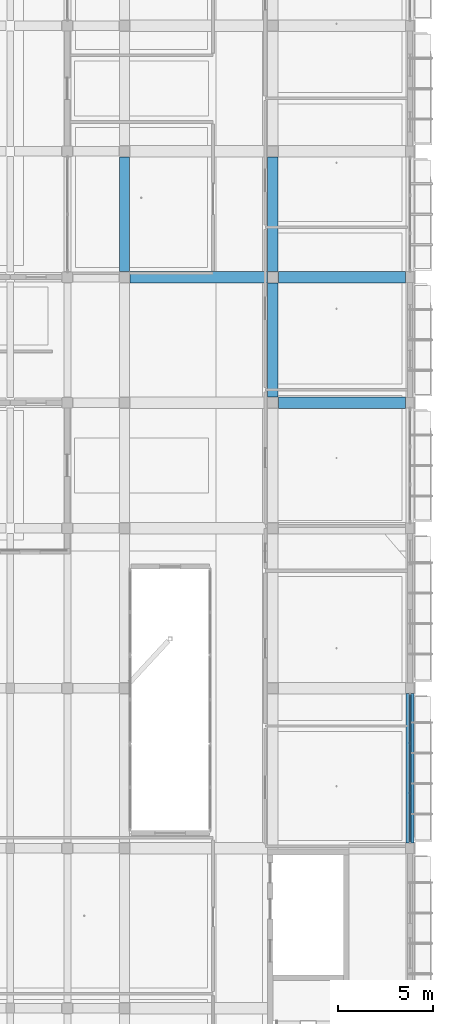
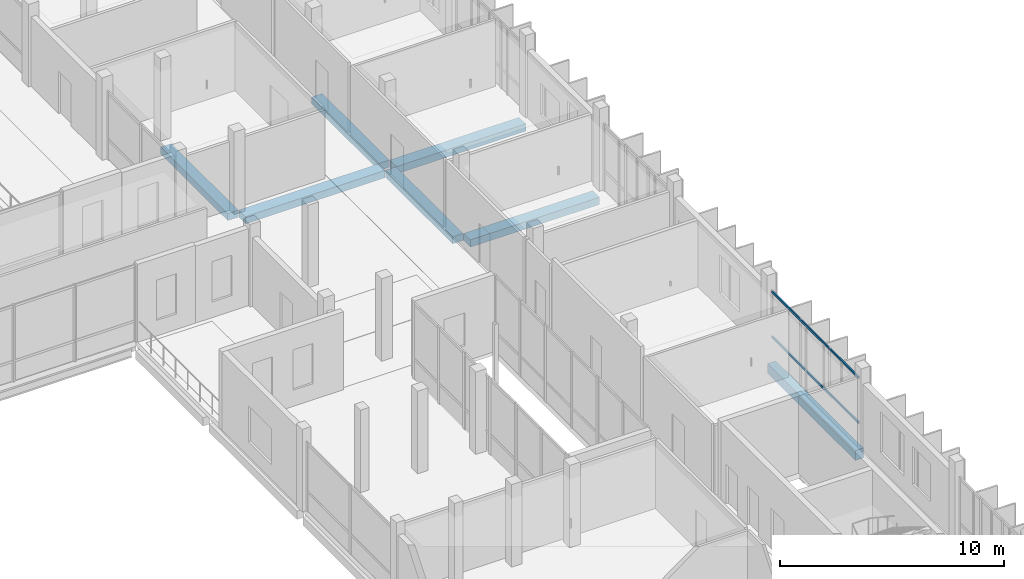
# One storey, part 40 of 95: 7 beams, 2 members, 1 element without a shape of its own.
"""IFC4 building model written with IfcOpenShell, lengths in metres."""

import ifcopenshell
import ifcopenshell.guid

model = None  # the IFC model being written
_history = None  # IfcOwnerHistory: only IFC2X3 demands one
_inside = {}  # id of a spatial element -> (the spatial element, [elements in it])
_under = {}  # id of a project, library or spatial element -> (it, [spatial elements below it])
_declared = {}  # id of a project -> (the project, [libraries it declares])
_typed = {}  # id of a type object -> (the type object, [elements of that type])
_made_of = {}  # id of a material, layer set ... -> (it, [elements and type objects made of it])


def new_model(schema):
    """Start an empty IFC model of exactly this schema.

    Asked for "IFC4X3", IfcOpenShell would pick the latest addendum, in which some entities
    have other attributes; the version numbers below select the first issue.
    IFC2X3 requires an IfcOwnerHistory on every rooted entity: one is made here for all.
    """
    global model, _history
    if schema == "IFC4X3":
        model = ifcopenshell.file(schema_version=(4, 3, 0, 0))
    else:
        model = ifcopenshell.file(schema=schema)
    _inside.clear()
    _under.clear()
    _declared.clear()
    _typed.clear()
    _made_of.clear()
    _history = None
    if model.schema == "IFC2X3":
        org = make("IfcOrganization", Name="unknown")
        user = make(
            "IfcPersonAndOrganization",
            ThePerson=make("IfcPerson", FamilyName="unknown"),
            TheOrganization=org,
        )
        app = make(
            "IfcApplication",
            ApplicationDeveloper=org,
            Version="unknown",
            ApplicationFullName="unknown",
            ApplicationIdentifier="unknown",
        )
        _history = make(
            "IfcOwnerHistory",
            OwningUser=user,
            OwningApplication=app,
            ChangeAction="ADDED",
            CreationDate=0,
        )
    return model


def make(cls, **values):
    """One entity of the class cls with the attributes given. An attribute that is None is left unset."""
    return model.create_entity(
        cls, **{name: value for name, value in values.items() if value is not None}
    )


def rooted(cls, **values):
    """An entity with a GlobalId (a new one), such as an element, a storey or a relation."""
    return make(cls, GlobalId=ifcopenshell.guid.new(), OwnerHistory=_history, **values)


def si_unit(unit_type, name, prefix=None):
    """IfcSIUnit, for example si_unit("LENGTHUNIT", "METRE", prefix="MILLI")."""
    return make("IfcSIUnit", UnitType=unit_type, Prefix=prefix, Name=name)


def derived_unit(unit_type, elements):
    """IfcDerivedUnit: a product of units, each with its exponent."""
    return make(
        "IfcDerivedUnit",
        Elements=[
            make("IfcDerivedUnitElement", Unit=unit, Exponent=power)
            for unit, power in elements
        ],
        UnitType=unit_type,
    )


def assignment(units):
    """IfcUnitAssignment: the units of a project."""
    return None if units is None else make("IfcUnitAssignment", Units=units)


def point(xyz):
    """IfcCartesianPoint."""
    return None if xyz is None else make("IfcCartesianPoint", Coordinates=xyz)


def direction(xyz):
    """IfcDirection."""
    return None if xyz is None else make("IfcDirection", DirectionRatios=xyz)


def frame(location, z_axis=None, x_axis=None):
    """IfcAxis2Placement3D, a coordinate frame: its origin and axes. An axis left out is left unset."""
    return make(
        "IfcAxis2Placement3D",
        Location=point(location),
        Axis=direction(z_axis),
        RefDirection=direction(x_axis),
    )


def frame_2d(location, x_axis=None):
    """IfcAxis2Placement2D, a coordinate frame in the plane: its origin and x axis."""
    return make(
        "IfcAxis2Placement2D", Location=point(location), RefDirection=direction(x_axis)
    )


def origin():
    """The frame at (0, 0, 0) with its axes left unset."""
    return frame((0.0, 0.0, 0.0))


def origin_2d():
    """The frame at (0, 0) in the plane with its x axis left unset."""
    return frame_2d((0.0, 0.0))


def place(relative_to, where):
    """IfcLocalPlacement: puts the frame where relative to a parent placement (None: the world)."""
    return make(
        "IfcLocalPlacement", PlacementRelTo=relative_to, RelativePlacement=where
    )


def context(
    kind, dimensions, precision=None, world=None, true_north=None, identifier=None
):
    """IfcGeometricRepresentationContext, for example the 3D "Model" context."""
    return make(
        "IfcGeometricRepresentationContext",
        ContextIdentifier=identifier,
        ContextType=kind,
        CoordinateSpaceDimension=dimensions,
        Precision=precision,
        WorldCoordinateSystem=world,
        TrueNorth=true_north,
    )


def subcontext(parent, identifier, kind, view, scale=None):
    """IfcGeometricRepresentationSubContext, for example "Body" below "Model"."""
    return make(
        "IfcGeometricRepresentationSubContext",
        ContextIdentifier=identifier,
        ContextType=kind,
        ParentContext=parent,
        TargetScale=scale,
        TargetView=view,
    )


def project(units=None, contexts=None):
    """IfcProject with its units and contexts."""
    return rooted(
        "IfcProject",
        Name="project",
        RepresentationContexts=contexts,
        UnitsInContext=assignment(units),
    )


def spatial(cls, under=None, at=None, **own):
    """A site, building, storey or space (cls), placed at a placement, below another one or the project."""
    s = rooted(cls, ObjectPlacement=at, **own)
    if under is not None:
        _under.setdefault(under.id(), (under, []))[1].append(s)
    return s


def profile(cls, at=None, kind="AREA", **sizes):
    """A parametric profile (cls). Its sizes go by their IFC names, for example OverallWidth=200.0."""
    return make(cls, ProfileType=kind, Position=at, **sizes)


def rectangle(**sizes):
    """IfcRectangleProfileDef."""
    return profile("IfcRectangleProfileDef", **sizes)


def extrude(swept, where, along, depth):
    """IfcExtrudedAreaSolid: the profile swept, set in the frame where, extruded along a direction by depth."""
    return make(
        "IfcExtrudedAreaSolid",
        SweptArea=swept,
        Position=where,
        ExtrudedDirection=direction(along),
        Depth=depth,
    )


def shape(context_of_items, identifier, shape_type, items):
    """IfcShapeRepresentation: the items that make up one representation, for example the "Body"."""
    return make(
        "IfcShapeRepresentation",
        ContextOfItems=context_of_items,
        RepresentationIdentifier=identifier,
        RepresentationType=shape_type,
        Items=items,
    )


def material(Name=None, Category=None):
    """IfcMaterial."""
    return make("IfcMaterial", Name=Name, Category=Category)


def material_profile(
    of_material, cross_section, Name=None, Category=None, Priority=None
):
    """IfcMaterialProfile: a cross section and its material."""
    return make(
        "IfcMaterialProfile",
        Name=Name,
        Material=of_material,
        Profile=cross_section,
        Priority=Priority,
        Category=Category,
    )


def profile_set(profiles, Name=None, composite=None):
    """IfcMaterialProfileSet."""
    return make(
        "IfcMaterialProfileSet",
        Name=Name,
        MaterialProfiles=profiles,
        CompositeProfile=composite,
    )


def made_of(thing, what):
    """Note that an element or type object is made of a material, layer set ...; save() writes the relation."""
    if what is not None:
        _made_of.setdefault(what.id(), (what, []))[1].append(thing)
    return thing


def type_object(cls, material=None, **own):
    """A type object (cls), such as IfcWallType, which elements share."""
    return made_of(rooted(cls, **own), material)


def element(
    cls,
    number,
    at=None,
    inside=None,
    cuts=None,
    type_object=None,
    material=None,
    context=None,
    identifier="Body",
    shape_type=None,
    held_by="IfcProductDefinitionShape",
    body=None,
    shapes=None,
    **own,
):
    """One element of the class cls, such as IfcWall. Its Tag is "e" and its number.

    at: its placement. inside: the storey or other place that contains it. cuts: it is an
    opening in that element (IfcRelVoidsElement). A single representation is given by context,
    identifier, shape_type and body (its items); several are given by shapes. held_by: the class
    of the entity that holds the representations. save() writes the other relations.
    """
    e = rooted(cls, Tag="e%d" % number, ObjectPlacement=at, **own)
    if body is not None:
        shapes = [shape(context, identifier, shape_type, body)]
    if shapes is not None:
        e.Representation = make(held_by, Representations=shapes)
    if inside is not None:
        _inside.setdefault(inside.id(), (inside, []))[1].append(e)
    if cuts is not None:
        rooted(
            "IfcRelVoidsElement", RelatingBuildingElement=cuts, RelatedOpeningElement=e
        )
    if type_object is not None:
        _typed.setdefault(type_object.id(), (type_object, []))[1].append(e)
    return made_of(e, material)


def aggregate(whole, parts):
    """IfcRelAggregates: a whole, such as a stair, and the parts it consists of."""
    return rooted("IfcRelAggregates", RelatingObject=whole, RelatedObjects=parts)


def save(model, path):
    """Write the relations noted so far, then the file.

    IfcRelAggregates (storeys below a building ...), IfcRelContainedInSpatialStructure (elements
    in a storey), IfcRelDefinesByType, IfcRelAssociatesMaterial and IfcRelDeclares: one each for
    every whole, place, type object, material and project.
    """
    for whole, parts in _under.values():
        aggregate(whole, parts)
    for where, things in _inside.values():
        rooted(
            "IfcRelContainedInSpatialStructure",
            RelatedElements=things,
            RelatingStructure=where,
        )
    for kind, things in _typed.values():
        rooted("IfcRelDefinesByType", RelatedObjects=things, RelatingType=kind)
    for what, things in _made_of.values():
        rooted("IfcRelAssociatesMaterial", RelatedObjects=things, RelatingMaterial=what)
    for by, libraries in _declared.values():
        rooted("IfcRelDeclares", RelatingContext=by, RelatedDefinitions=libraries)
    model.write(path)


model = new_model("IFC4")

# Units and contexts
model_context = context("Model", 3, precision=1e-05, world=origin(), true_north=direction((0.0, 1.0)))
body_context = subcontext(model_context, "Body", "Model", "MODEL_VIEW")
ifc_project = project(units=[si_unit("LENGTHUNIT", "METRE"), si_unit("AREAUNIT", "SQUARE_METRE"), si_unit("VOLUMEUNIT", "CUBIC_METRE"), si_unit("PLANEANGLEUNIT", "RADIAN"), si_unit("MASSUNIT", "GRAM", prefix="KILO"), derived_unit("THERMALTRANSMITTANCEUNIT", [(si_unit("POWERUNIT", "WATT"), 1), (si_unit("LENGTHUNIT", "METRE"), -2), (si_unit("THERMODYNAMICTEMPERATUREUNIT", "KELVIN"), -1)])], contexts=[model_context])

# Site, building, storey
site_placement = place(None, origin())
site = spatial("IfcSite", under=ifc_project, at=site_placement, CompositionType="ELEMENT")
building_placement = place(site_placement, origin())
building = spatial("IfcBuilding", under=site, at=building_placement, Name="Braskholm Square Health Centre", CompositionType="ELEMENT")
storey_placement = place(building_placement, frame((0.0, 0.0, 4.800048828125)))
storey = spatial("IfcBuildingStorey", under=building, at=storey_placement, Name="L02", CompositionType="ELEMENT", Elevation=4.800048828125)

# Curtain wall, members
ifc_material_1 = material(Name="Low-E triple insulating glass (VLT 0.64)", Category="glass")
curtain_wall_type = type_object("IfcCurtainWallType", Name="UnitisedCurtainWall6200x3650", PredefinedType="NOTDEFINED", material=ifc_material_1)
curtain_wall_placement = place(storey_placement, origin())
curtain_wall = element("IfcCurtainWall", 1, at=curtain_wall_placement, inside=storey, type_object=curtain_wall_type, Name="East Outer unitised curtain wall CW-L02-0056", PredefinedType="NOTDEFINED")
ifc_material_2 = material(Name="Architectural bronze anodised aluminium", Category="aluminium")
ifc_material_profile_1 = material_profile(ifc_material_2, rectangle(XDim=0.06494140625, YDim=0.1201171875, at=origin_2d()), Name="ALU-65X120")
ifc_profile_set_1 = profile_set([ifc_material_profile_1], Name="Architectural bronze anodised aluminium")
member_type = type_object("IfcMemberType", Name="CurtainWallTransom65x120", PredefinedType="USERDEFINED", material=ifc_profile_set_1)
member_1_placement = place(storey_placement, frame((163.800048828125, 64.135009765625, 1.119873046875), z_axis=(0.0, 1.0, 0.0), x_axis=(-1.0, 0.0, 0.0)))
member_1 = element("IfcMember", 2, at=member_1_placement, type_object=member_type, Name="CW-L02-0056 horizontal transom 1", ObjectType="TRANSOM", PredefinedType="USERDEFINED", context=body_context, shape_type="SweptSolid", body=[
    extrude(rectangle(XDim=0.06494140625, YDim=0.1201171875, at=origin_2d()), origin(), (0.0, 0.0, 1.0), 7.72998046875),
])
member_2_placement = place(storey_placement, frame((163.800048828125, 64.135009765625, 3.579833984375), z_axis=(0.0, 1.0, 0.0), x_axis=(-1.0, 0.0, 0.0)))
member_2 = element("IfcMember", 3, at=member_2_placement, type_object=member_type, Name="CW-L02-0056 horizontal transom 2", ObjectType="TRANSOM", PredefinedType="USERDEFINED", context=body_context, shape_type="SweptSolid", body=[
    extrude(rectangle(XDim=0.06494140625, YDim=0.1201171875, at=origin_2d()), origin(), (0.0, 0.0, 1.0), 7.72998046875),
])
aggregate(curtain_wall, [member_1, member_2])

# Beams
ifc_material_3 = material(Name="Concrete C35/45 (f'c = 35 MPa)", Category="concrete")
ifc_material_profile_2 = material_profile(ifc_material_3, rectangle(XDim=0.550048828125, YDim=0.3798828125, at=origin_2d()), Name="RCB-550X380")
ifc_profile_set_2 = profile_set([ifc_material_profile_2], Name="Concrete C35/45 (f'c = 35 MPa)")
beam_type_1 = type_object("IfcBeamType", Name="PrimaryBandBeam550x380", PredefinedType="BEAM", material=ifc_profile_set_2)
for number, where, z_axis, x_axis, name in (
    (4, (148.800048828125, 94.10009765625, -0.489990234375), (0.0, 1.0, 0.0), (-1.0, 0.0, 0.0), "Beam 20/P-Q L02"),
    (5, (156.60009765625, 87.5, -0.489990234375), (0.0, 1.0, 0.0), (-1.0, 0.0, 0.0), "Beam 21/N-P L02"),
    (6, (156.60009765625, 94.10009765625, -0.489990234375), (0.0, 1.0, 0.0), (-1.0, 0.0, 0.0), "Beam 21/P-Q L02"),
):
    element("IfcBeam", number, at=place(storey_placement, frame(where, z_axis=z_axis, x_axis=x_axis)), inside=storey, type_object=beam_type_1, Name=name, PredefinedType="BEAM", context=body_context, shape_type="SweptSolid", body=[
        extrude(rectangle(XDim=0.550048828125, YDim=0.3798828125, at=origin_2d()), origin(), (0.0, 0.0, 1.0), 6.0),
    ])
ifc_material_profile_3 = material_profile(ifc_material_3, rectangle(XDim=0.60009765625, YDim=0.39990234375, at=origin_2d()), Name="RCB-600X400")
ifc_profile_set_3 = profile_set([ifc_material_profile_3], Name="Concrete C35/45 (f'c = 35 MPa)")
beam_type_2 = type_object("IfcBeamType", Name="PrimaryBandBeam600x400", PredefinedType="BEAM", material=ifc_profile_set_3)
beam_1_placement = place(storey_placement, frame((156.89990234375, 87.199951171875, -0.5), z_axis=(1.0, 0.0, 0.0), x_axis=(0.0, 1.0, 0.0)))
element("IfcBeam", 7, at=beam_1_placement, inside=storey, type_object=beam_type_2, Name="Beam 21-22/N L02", PredefinedType="BEAM", context=body_context, shape_type="SweptSolid", body=[
    extrude(rectangle(XDim=0.60009765625, YDim=0.39990234375, at=origin_2d()), origin(), (0.0, 0.0, 1.0), 6.670166015625),
])
beam_2_placement = place(storey_placement, frame((149.10009765625, 93.800048828125, -0.5), z_axis=(1.0, 0.0, 0.0), x_axis=(0.0, 1.0, 0.0)))
element("IfcBeam", 8, at=beam_2_placement, inside=storey, type_object=beam_type_2, Name="Beam 20-21/P L02", PredefinedType="BEAM", context=body_context, shape_type="SweptSolid", body=[
    extrude(rectangle(XDim=0.60009765625, YDim=0.39990234375, at=origin_2d()), origin(), (0.0, 0.0, 1.0), 7.199951171875),
])
beam_3_placement = place(storey_placement, frame((156.89990234375, 93.800048828125, -0.5), z_axis=(1.0, 0.0, 0.0), x_axis=(0.0, 1.0, 0.0)))
element("IfcBeam", 9, at=beam_3_placement, inside=storey, type_object=beam_type_2, Name="Beam 21-22/P L02", PredefinedType="BEAM", context=body_context, shape_type="SweptSolid", body=[
    extrude(rectangle(XDim=0.60009765625, YDim=0.39990234375, at=origin_2d()), origin(), (0.0, 0.0, 1.0), 6.670166015625),
])
ifc_material_4 = material(Name="Precast concrete C40/50 architectural white", Category="concrete")
ifc_material_profile_4 = material_profile(ifc_material_4, rectangle(XDim=0.419921875, YDim=0.550048828125, at=origin_2d()), Name="RCB-420X550")
ifc_profile_set_4 = profile_set([ifc_material_profile_4], Name="Precast concrete C40/50 architectural white")
beam_type_3 = type_object("IfcBeamType", Name="SpandrelPrecastLedge420x550", PredefinedType="SPANDREL", material=ifc_profile_set_4)
beam_4_placement = place(storey_placement, frame((163.800048828125, 64.080078125, -0.574951171875), z_axis=(0.0, 1.0, 0.0), x_axis=(-1.0, 0.0, 0.0)))
element("IfcBeam", 10, at=beam_4_placement, inside=storey, type_object=beam_type_3, Name="Beam 22/K-L L02", PredefinedType="SPANDREL", context=body_context, shape_type="SweptSolid", body=[
    extrude(rectangle(XDim=0.419921875, YDim=0.550048828125, at=origin_2d()), origin(), (0.0, 0.0, 1.0), 7.83984375),
])

save(model, "model.ifc")
